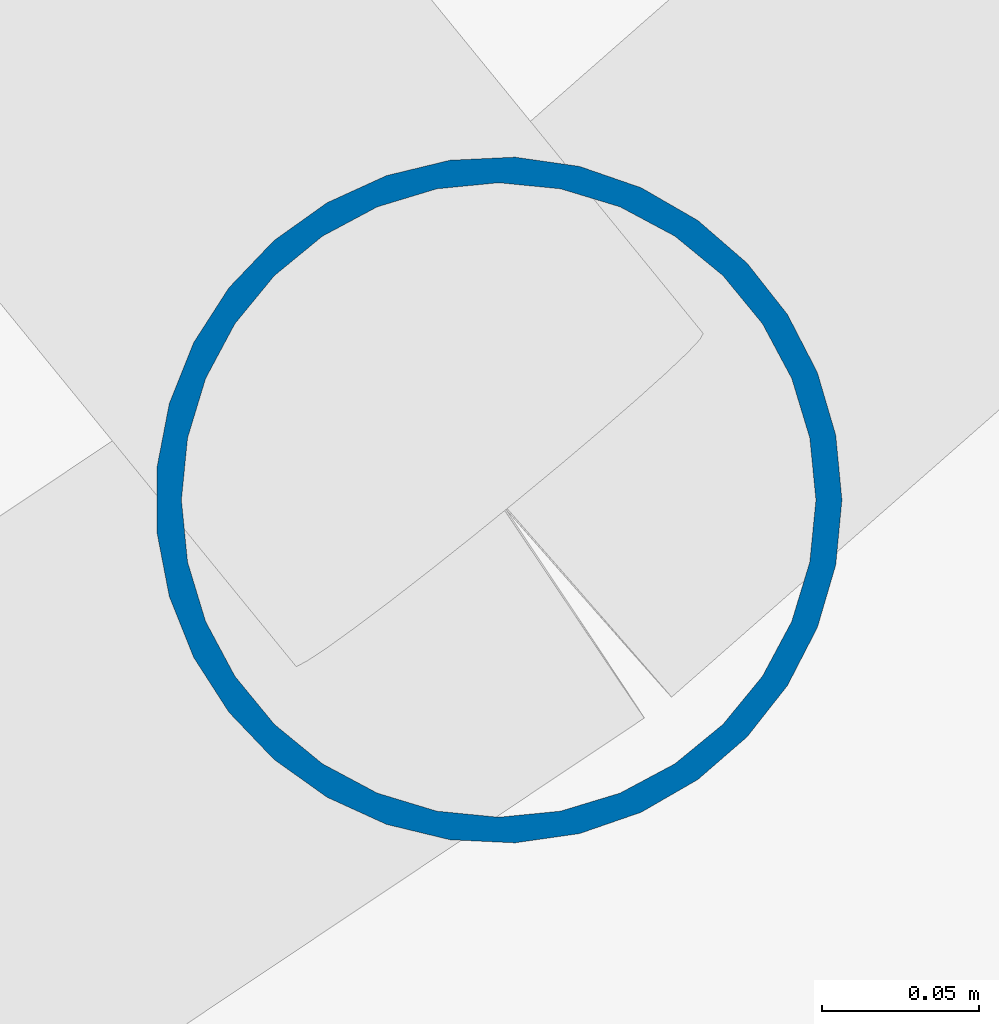
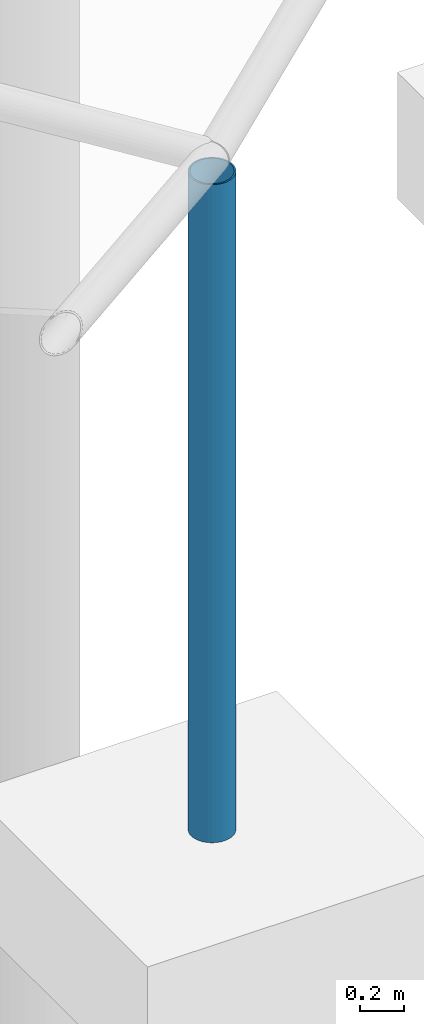
# One storey, part 33 of 226: 1 column.
"""IFC4 building model written with IfcOpenShell, lengths in metres."""

from ifc_helpers import new_model, si_unit, direction, frame, origin, origin_2d, place, context, subcontext, project, spatial, hollow_circle, extrude, material, material_profile, profile_set, type_object, element, save


model = new_model("IFC4")

# Units and contexts
model_context = context("Model", 3, precision=1e-05, world=origin(), true_north=direction((0.0, 1.0)))
body_context = subcontext(model_context, "Body", "Model", "MODEL_VIEW")
ifc_project = project(units=[si_unit("LENGTHUNIT", "METRE"), si_unit("AREAUNIT", "SQUARE_METRE"), si_unit("VOLUMEUNIT", "CUBIC_METRE"), si_unit("PLANEANGLEUNIT", "RADIAN"), si_unit("MASSUNIT", "GRAM", prefix="KILO")], contexts=[model_context])

# Site, building, storey
site_placement = place(None, origin())
site = spatial("IfcSite", under=ifc_project, at=site_placement, CompositionType="ELEMENT")
building_placement = place(site_placement, origin())
building = spatial("IfcBuilding", under=site, at=building_placement, Name="Ceibo Conservatory and Research Tower", CompositionType="ELEMENT")
storey_placement = place(building_placement, origin())
storey = spatial("IfcBuildingStorey", under=building, at=storey_placement, Name="L00", CompositionType="ELEMENT", Elevation=0.0)

# Column
ifc_material = material(Name="Steel ASTM A500 Gr C", Category="steel")
ifc_material_profile = material_profile(ifc_material, hollow_circle(Radius=0.109619140625, WallThickness=0.00830078125, at=origin_2d()), Name="CHS column 219.1x8.18")
ifc_profile_set = profile_set([ifc_material_profile], Name="Steel ASTM A500 Gr C")
column_type = type_object("IfcColumnType", Name="CHS column 219.1x8.18", PredefinedType="COLUMN", material=ifc_profile_set)
column_placement = place(storey_placement, frame((184.0029296875, 71.505859375, 0.0), z_axis=(0.0, 0.0, 1.0), x_axis=(1.0, 0.0, 0.0)))
element("IfcColumn", 1, at=column_placement, inside=storey, type_object=column_type, Name="Colonnade column A-CL02", PredefinedType="COLUMN", context=body_context, shape_type="SweptSolid", body=[
    extrude(hollow_circle(Radius=0.109619140625, WallThickness=0.00830078125, at=origin_2d()), origin(), (0.0, 0.0, 1.0), 3.64794921875),
])

save(model, "model.ifc")
